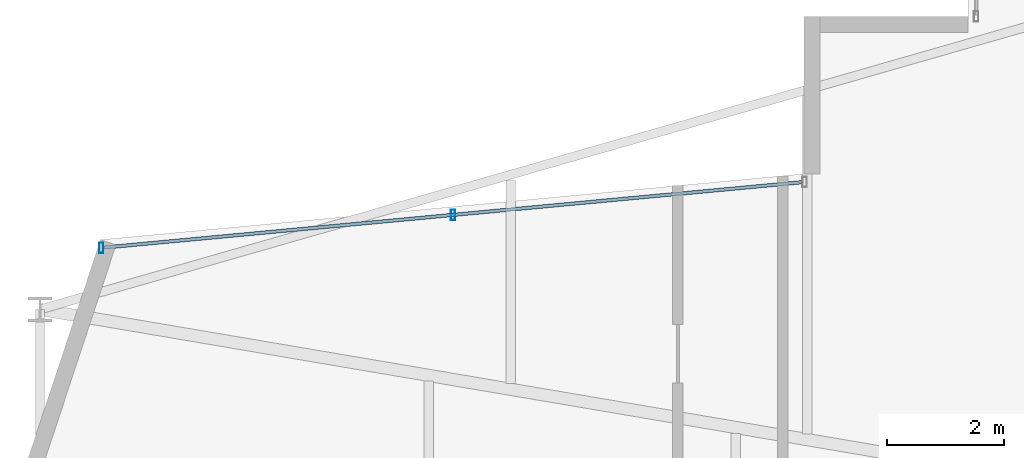
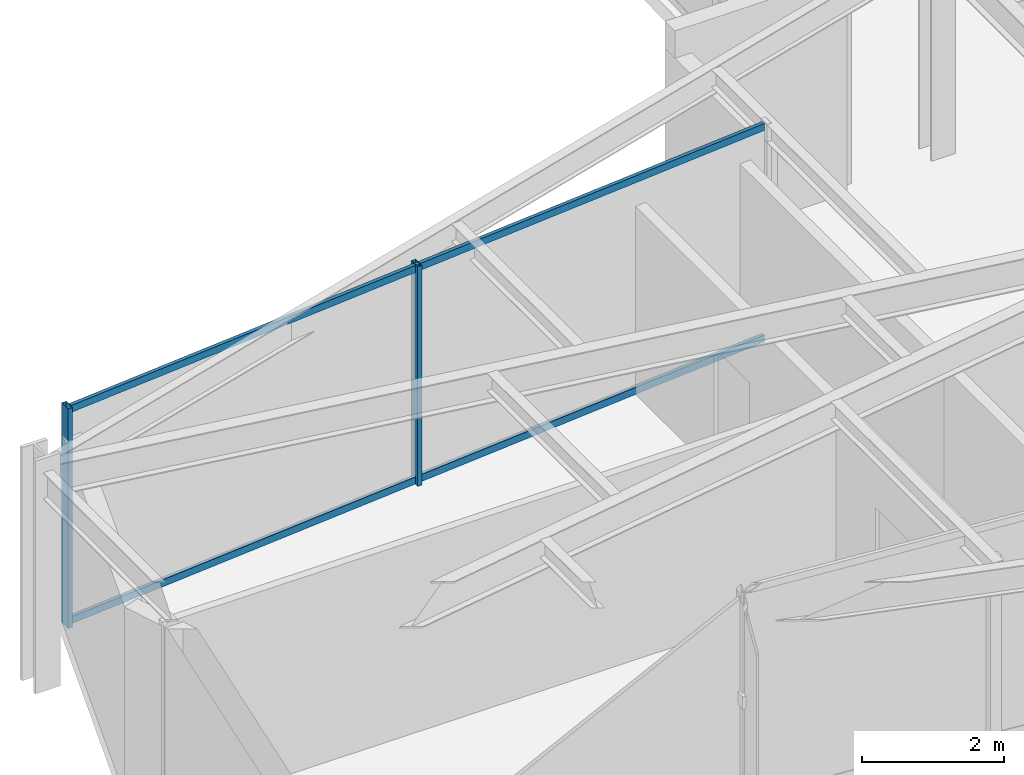
# One storey, part 8 of 24: 4 members, 1 element without a shape of its own.
"""IFC4 building model written with IfcOpenShell, lengths in metres."""

from ifc_helpers import new_model, si_unit, direction, frame, origin, origin_2d, place, context, subcontext, project, spatial, hollow_rectangle, extrude, material, layer, layer_set, material_profile, profile_set, type_object, element, aggregate, save


model = new_model("IFC4")

# Units and contexts
model_context = context("Model", 3, precision=1e-05, world=origin(), true_north=direction((0.0, 1.0)))
body_context = subcontext(model_context, "Body", "Model", "MODEL_VIEW")
ifc_project = project(units=[si_unit("LENGTHUNIT", "METRE"), si_unit("AREAUNIT", "SQUARE_METRE"), si_unit("VOLUMEUNIT", "CUBIC_METRE"), si_unit("PLANEANGLEUNIT", "RADIAN"), si_unit("MASSUNIT", "GRAM", prefix="KILO")], contexts=[model_context])

# Site, building, storey
site_placement = place(None, origin())
site = spatial("IfcSite", under=ifc_project, at=site_placement, CompositionType="ELEMENT")
building_placement = place(site_placement, origin())
building = spatial("IfcBuilding", under=site, at=building_placement, Name="Veymaron Broadcast Tower", CompositionType="ELEMENT")
storey_placement = place(building_placement, frame((0.0, 0.0, 220.199951171875)))
storey = spatial("IfcBuildingStorey", under=building, at=storey_placement, Name="L51", CompositionType="ELEMENT", Elevation=220.199951171875)

# Curtain wall, members
ifc_material_1 = material(Name="Anodised aluminium AA 6063-T6 and laminated low-E dark glass", Category="aluminium")
ifc_layer = layer(ifc_material_1, 0.179931640625)
ifc_layer_set = layer_set([ifc_layer], Name="Anodised aluminium AA 6063-T6 and laminated low-E dark glass")
curtain_wall_type = type_object("IfcCurtainWallType", Name="CW-SYS-05", PredefinedType="NOTDEFINED", material=ifc_layer_set)
curtain_wall_placement = place(storey_placement, origin())
curtain_wall = element("IfcCurtainWall", 1, at=curtain_wall_placement, inside=storey, type_object=curtain_wall_type, Name="L51 dark-glass curtain wall CW-L51-E11-1", PredefinedType="NOTDEFINED")
ifc_material_2 = material(Name="Anodised aluminium AA 6063-T6", Category="aluminium")
ifc_material_profile_1 = material_profile(ifc_material_2, hollow_rectangle(XDim=0.074951171875, YDim=0.179931640625, WallThickness=0.0048828125, at=origin_2d()), Name="AL180X75X5")
ifc_profile_set_1 = profile_set([ifc_material_profile_1], Name="Anodised aluminium AA 6063-T6")
member_type_1 = type_object("IfcMemberType", Name="CW-MUL-02", PredefinedType="MULLION", material=ifc_profile_set_1)
member_1_placement = place(storey_placement, frame((20.7431640625, 28.59619140625, 0.0), z_axis=(0.0, 0.0, 1.0), x_axis=(1.0, 0.0, 0.0)))
member_1 = element("IfcMember", 2, at=member_1_placement, type_object=member_type_1, Name="CW-L51-E11-1 mullion 1", PredefinedType="MULLION", context=body_context, shape_type="SweptSolid", body=[
    extrude(hollow_rectangle(XDim=0.074951171875, YDim=0.179931640625, WallThickness=0.0048828125, at=origin_2d()), origin(), (0.0, 0.0, 1.0), 3.7900390625),
])
member_2_placement = place(storey_placement, frame((14.713134765625, 28.03125, 0.0), z_axis=(0.0, 0.0, 1.0), x_axis=(1.0, 0.0, 0.0)))
member_2 = element("IfcMember", 3, at=member_2_placement, type_object=member_type_1, Name="CW-L51-E11-1 mullion 2", PredefinedType="MULLION", context=body_context, shape_type="SweptSolid", body=[
    extrude(hollow_rectangle(XDim=0.074951171875, YDim=0.179931640625, WallThickness=0.0048828125, at=origin_2d()), origin(), (0.0, 0.0, 1.0), 3.7900390625),
])
ifc_material_profile_2 = material_profile(ifc_material_2, hollow_rectangle(XDim=0.06005859375, YDim=0.1201171875, WallThickness=0.00390625, at=origin_2d()), Name="AL120X60X4")
ifc_profile_set_2 = profile_set([ifc_material_profile_2], Name="Anodised aluminium AA 6063-T6")
member_type_2 = type_object("IfcMemberType", Name="CW-TRN-02", PredefinedType="USERDEFINED", material=ifc_profile_set_2)
member_3_placement = place(storey_placement, frame((26.723388671875, 29.15625, 0.070068359375), z_axis=(-0.995641423823, -0.093263900672, 0.0), x_axis=(0.093263900672, -0.995641423823, 0.0)))
member_3 = element("IfcMember", 4, at=member_3_placement, type_object=member_type_2, Name="CW-L51-E11-1 transom B", ObjectType="TRANSOM", PredefinedType="USERDEFINED", context=body_context, shape_type="SweptSolid", body=[
    extrude(hollow_rectangle(XDim=0.06005859375, YDim=0.1201171875, WallThickness=0.00390625, at=origin_2d()), origin(), (0.0, 0.0, 1.0), 12.0126953125),
])
member_4_placement = place(storey_placement, frame((26.723388671875, 29.15625, 3.719970703125), z_axis=(-0.995641423823, -0.093263900672, 0.0), x_axis=(0.093263900672, -0.995641423823, 0.0)))
member_4 = element("IfcMember", 5, at=member_4_placement, type_object=member_type_2, Name="CW-L51-E11-1 transom T", ObjectType="TRANSOM", PredefinedType="USERDEFINED", context=body_context, shape_type="SweptSolid", body=[
    extrude(hollow_rectangle(XDim=0.06005859375, YDim=0.1201171875, WallThickness=0.00390625, at=origin_2d()), origin(), (0.0, 0.0, 1.0), 12.0126953125),
])
aggregate(curtain_wall, [member_1, member_2, member_3, member_4])

save(model, "model.ifc")
